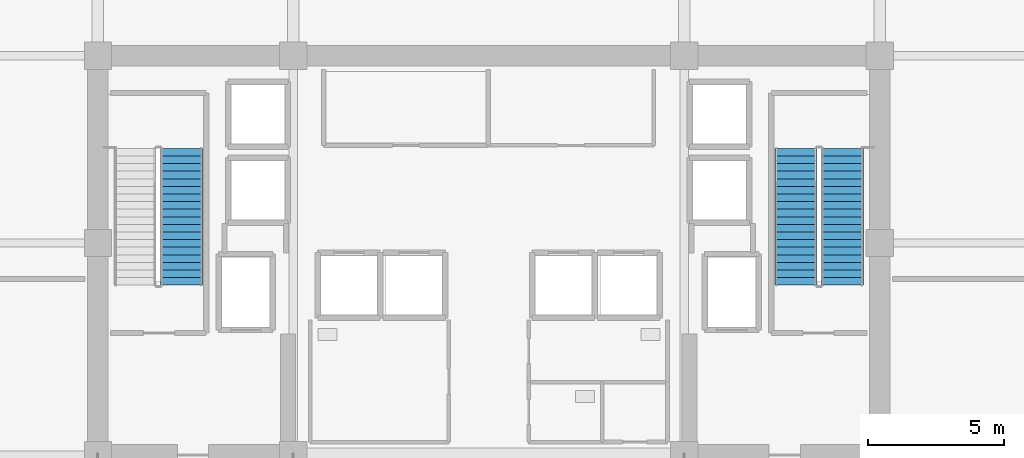
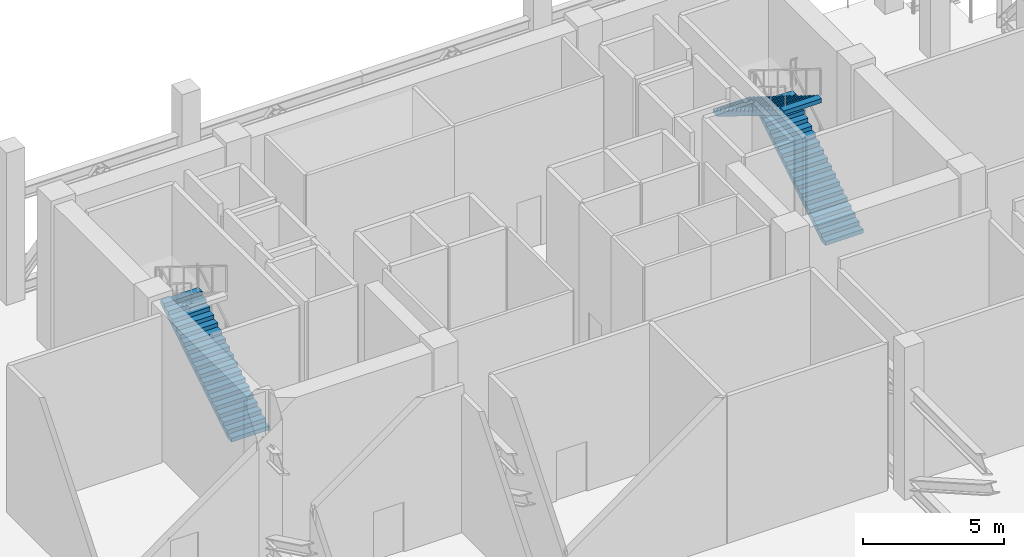
# One storey, part 8 of 13: 3 stair flights, 2 elements without a shape of their own.
"""IFC4 building model written with IfcOpenShell, lengths in metres."""

from ifc_helpers import new_model, si_unit, direction, frame, origin, place, context, subcontext, project, spatial, polyline, outline, extrude, material, type_object, element, aggregate, save


model = new_model("IFC4")

# Units and contexts
model_context = context("Model", 3, precision=1e-05, world=origin(), true_north=direction((0.0, 1.0)))
body_context = subcontext(model_context, "Body", "Model", "MODEL_VIEW")
ifc_project = project(units=[si_unit("LENGTHUNIT", "METRE"), si_unit("AREAUNIT", "SQUARE_METRE"), si_unit("VOLUMEUNIT", "CUBIC_METRE"), si_unit("PLANEANGLEUNIT", "RADIAN"), si_unit("MASSUNIT", "GRAM", prefix="KILO")], contexts=[model_context])

# Site, building, storey
site_placement = place(None, origin())
site = spatial("IfcSite", under=ifc_project, at=site_placement, CompositionType="ELEMENT")
building_placement = place(site_placement, origin())
building = spatial("IfcBuilding", under=site, at=building_placement, Name="Zarnakvel Exchange Tower", CompositionType="ELEMENT")
storey_placement = place(building_placement, frame((0.0, 0.0, 139.60009765625)))
storey = spatial("IfcBuildingStorey", under=building, at=storey_placement, Name="L39", CompositionType="ELEMENT", Elevation=139.60009765625)

# Stair, stair flight
ifc_material = material(Name="Concrete C40/50", Category="concrete")
stair_type = type_object("IfcStairType", Name="STR-01", PredefinedType="HALF_TURN_STAIR", material=ifc_material)
stair_1_placement = place(storey_placement, origin())
stair_1 = element("IfcStair", 1, at=stair_1_placement, inside=storey, type_object=stair_type, Name="L39 Protected Core Exit Stair ST-01", PredefinedType="HALF_TURN_STAIR")
stair_flight_type = type_object("IfcStairFlightType", Name="FLT-01", PredefinedType="STRAIGHT", material=ifc_material)
stair_flight_1_placement = place(storey_placement, frame((-11.31494140625, 5.050048828125, 0.0), z_axis=(0.0, 0.0, 1.0), x_axis=(0.0, 1.0, 0.0)))
stair_flight_1 = element("IfcStairFlight", 2, at=stair_flight_1_placement, type_object=stair_flight_type, Name="ST-01 flight 1", NumberOfRisers=19, NumberOfTreads=18, PredefinedType="STRAIGHT", RiserHeight=0.173684211, TreadLength=0.28, context=body_context, shape_type="SweptSolid", body=[
    extrude(outline(polyline([(0.0, 0.0), (0.0, 0.173583984375), (0.280029296875, 0.173583984375), (0.280029296875, 0.347412109375), (0.56005859375, 0.347412109375), (0.56005859375, 0.52099609375), (0.840087890625, 0.52099609375), (0.840087890625, 0.69482421875), (1.1201171875, 0.69482421875), (1.1201171875, 0.868408203125), (1.39990234375, 0.868408203125), (1.39990234375, 1.0419921875), (1.679931640625, 1.0419921875), (1.679931640625, 1.2158203125), (1.9599609375, 1.2158203125), (1.9599609375, 1.389404296875), (2.239990234375, 1.389404296875), (2.239990234375, 1.563232421875), (2.52001953125, 1.563232421875), (2.52001953125, 1.73681640625), (2.800048828125, 1.73681640625), (2.800048828125, 1.91064453125), (3.080078125, 1.91064453125), (3.080078125, 2.084228515625), (3.360107421875, 2.084228515625), (3.360107421875, 2.2578125), (3.639892578125, 2.2578125), (3.639892578125, 2.431640625), (3.919921875, 2.431640625), (3.919921875, 2.605224609375), (4.199951171875, 2.605224609375), (4.199951171875, 2.779052734375), (4.47998046875, 2.779052734375), (4.47998046875, 2.95263671875), (4.760009765625, 2.95263671875), (4.760009765625, 3.126220703125), (5.0400390625, 3.126220703125), (5.0400390625, 3.300048828125), (5.0400390625, 2.949951171875), (0.284423828125, 0.0), (0.0, 0.0)])), frame((0.0, 0.77490234375, 0.0), z_axis=(0.0, -1.0, 0.0), x_axis=(1.0, 0.0, 0.0)), (0.0, 0.0, 1.0), 1.550048828125),
])
aggregate(stair_1, [stair_flight_1])

# Stair, stair flights
stair_2_placement = place(storey_placement, origin())
stair_2 = element("IfcStair", 3, at=stair_2_placement, inside=storey, type_object=stair_type, Name="L39 Protected Core Exit Stair ST-02", PredefinedType="HALF_TURN_STAIR")
stair_flight_2_placement = place(storey_placement, frame((13.02490234375, 5.050048828125, 0.0), z_axis=(0.0, 0.0, 1.0), x_axis=(0.0, 1.0, 0.0)))
stair_flight_2 = element("IfcStairFlight", 4, at=stair_flight_2_placement, type_object=stair_flight_type, Name="ST-02 flight 1", NumberOfRisers=19, NumberOfTreads=18, PredefinedType="STRAIGHT", RiserHeight=0.173684211, TreadLength=0.28, context=body_context, shape_type="SweptSolid", body=[
    extrude(outline(polyline([(0.0, 0.0), (0.0, 0.173583984375), (0.280029296875, 0.173583984375), (0.280029296875, 0.347412109375), (0.56005859375, 0.347412109375), (0.56005859375, 0.52099609375), (0.840087890625, 0.52099609375), (0.840087890625, 0.69482421875), (1.1201171875, 0.69482421875), (1.1201171875, 0.868408203125), (1.39990234375, 0.868408203125), (1.39990234375, 1.0419921875), (1.679931640625, 1.0419921875), (1.679931640625, 1.2158203125), (1.9599609375, 1.2158203125), (1.9599609375, 1.389404296875), (2.239990234375, 1.389404296875), (2.239990234375, 1.563232421875), (2.52001953125, 1.563232421875), (2.52001953125, 1.73681640625), (2.800048828125, 1.73681640625), (2.800048828125, 1.91064453125), (3.080078125, 1.91064453125), (3.080078125, 2.084228515625), (3.360107421875, 2.084228515625), (3.360107421875, 2.2578125), (3.639892578125, 2.2578125), (3.639892578125, 2.431640625), (3.919921875, 2.431640625), (3.919921875, 2.605224609375), (4.199951171875, 2.605224609375), (4.199951171875, 2.779052734375), (4.47998046875, 2.779052734375), (4.47998046875, 2.95263671875), (4.760009765625, 2.95263671875), (4.760009765625, 3.126220703125), (5.0400390625, 3.126220703125), (5.0400390625, 3.300048828125), (5.0400390625, 2.949951171875), (0.284423828125, 0.0), (0.0, 0.0)])), frame((0.0, 0.77490234375, 0.0), z_axis=(0.0, -1.0, 0.0), x_axis=(1.0, 0.0, 0.0)), (0.0, 0.0, 1.0), 1.550048828125),
])
stair_flight_3_placement = place(storey_placement, frame((11.31494140625, 10.090087890625, 3.2998046875), z_axis=(0.0, 0.0, 1.0), x_axis=(0.0, -1.0, 0.0)))
stair_flight_3 = element("IfcStairFlight", 5, at=stair_flight_3_placement, type_object=stair_flight_type, Name="ST-02 flight 2", NumberOfRisers=19, NumberOfTreads=18, PredefinedType="STRAIGHT", RiserHeight=0.173684211, TreadLength=0.28, context=body_context, shape_type="SweptSolid", body=[
    extrude(outline(polyline([(0.0, 0.0), (0.0, 0.173583984375), (0.280029296875, 0.173583984375), (0.280029296875, 0.347412109375), (0.56005859375, 0.347412109375), (0.56005859375, 0.52099609375), (0.840087890625, 0.52099609375), (0.840087890625, 0.69482421875), (1.1201171875, 0.69482421875), (1.1201171875, 0.868408203125), (1.39990234375, 0.868408203125), (1.39990234375, 1.0419921875), (1.679931640625, 1.0419921875), (1.679931640625, 1.2158203125), (1.9599609375, 1.2158203125), (1.9599609375, 1.389404296875), (2.239990234375, 1.389404296875), (2.239990234375, 1.563232421875), (2.52001953125, 1.563232421875), (2.52001953125, 1.73681640625), (2.800048828125, 1.73681640625), (2.800048828125, 1.91064453125), (3.080078125, 1.91064453125), (3.080078125, 2.084228515625), (3.360107421875, 2.084228515625), (3.360107421875, 2.2578125), (3.639892578125, 2.2578125), (3.639892578125, 2.431640625), (3.919921875, 2.431640625), (3.919921875, 2.605224609375), (4.199951171875, 2.605224609375), (4.199951171875, 2.779052734375), (4.47998046875, 2.779052734375), (4.47998046875, 2.95263671875), (4.760009765625, 2.95263671875), (4.760009765625, 3.126220703125), (5.0400390625, 3.126220703125), (5.0400390625, 3.300048828125), (5.0400390625, 2.949951171875), (0.284423828125, 0.0), (0.0, 0.0)])), frame((0.0, 0.77490234375, 0.0), z_axis=(0.0, -1.0, 0.0), x_axis=(1.0, 0.0, 0.0)), (0.0, 0.0, 1.0), 1.550048828125),
])
aggregate(stair_2, [stair_flight_2, stair_flight_3])

save(model, "model.ifc")
